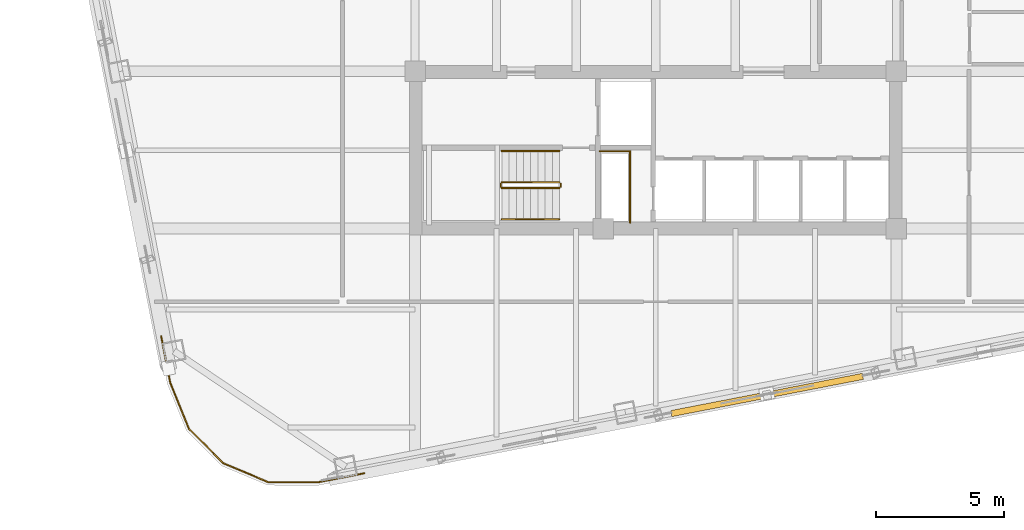
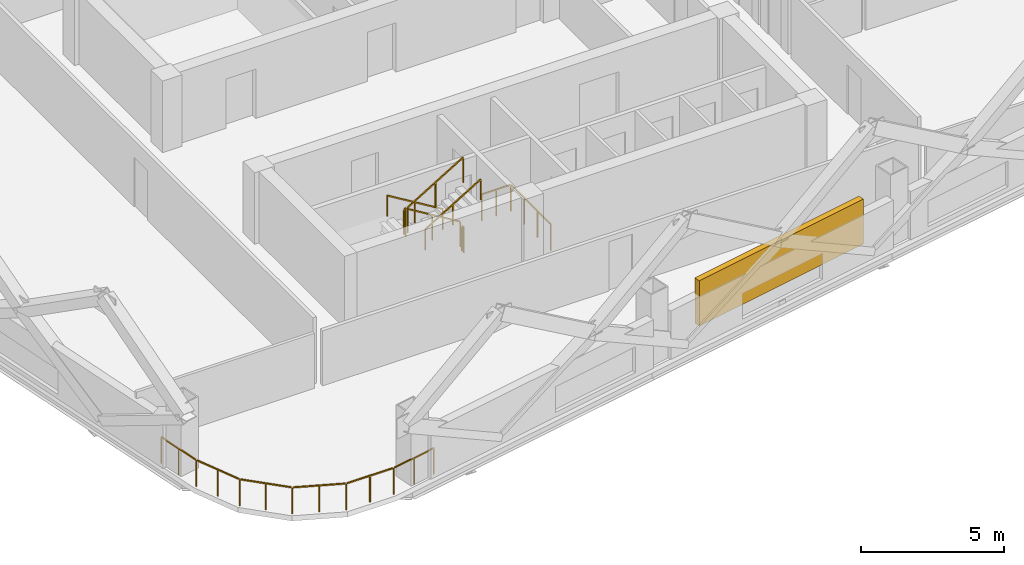
# One storey, part 8 of 10: 8 railings, 1 shading device.
"""IFC4 building model written with IfcOpenShell, lengths in metres."""

from ifc_helpers import new_model, si_unit, direction, frame, origin, origin_2d, place, context, subcontext, project, spatial, rectangle, extrude, material, type_object, element, save


model = new_model("IFC4")

# Units and contexts
model_context = context("Model", 3, precision=1e-05, world=origin(), true_north=direction((0.0, 1.0)))
body_context = subcontext(model_context, "Body", "Model", "MODEL_VIEW")
ifc_project = project(units=[si_unit("LENGTHUNIT", "METRE"), si_unit("AREAUNIT", "SQUARE_METRE"), si_unit("VOLUMEUNIT", "CUBIC_METRE"), si_unit("PLANEANGLEUNIT", "RADIAN"), si_unit("MASSUNIT", "GRAM", prefix="KILO")], contexts=[model_context])

# Site, building, storey
site_placement = place(None, origin())
site = spatial("IfcSite", under=ifc_project, at=site_placement, CompositionType="ELEMENT")
building_placement = place(site_placement, origin())
building = spatial("IfcBuilding", under=site, at=building_placement, Name="Qhalaya Broadcast Tower", CompositionType="ELEMENT")
storey_placement = place(building_placement, frame((0.0, 0.0, 118.89990234375)))
storey = spatial("IfcBuildingStorey", under=building, at=storey_placement, Name="L34", CompositionType="ELEMENT", Elevation=118.89990234375)

# Railings
ifc_material_1 = material(Name="Powder-Coated Galvanised Steel", Category="steel")
railing_type_1 = type_object("IfcRailingType", Name="Stair Wall Handrail 900", PredefinedType="HANDRAIL", material=ifc_material_1)
railing_1_placement = place(storey_placement, frame((-3.75, -5.72998046875, 0.16943359375)))
element("IfcRailing", 1, at=railing_1_placement, inside=storey, type_object=railing_type_1, Name="L34 ST-2 Stair Handrail 1", PredefinedType="HANDRAIL", context=body_context, shape_type="SweptSolid", body=[
    extrude(rectangle(XDim=0.048095703125, YDim=0.048095703125, at=origin_2d()), frame((0.0, 0.0, 0.8759765625), z_axis=(-0.855512035549, 0.0, 0.517782924622), x_axis=(0.0, -1.0, 0.0)), (0.0, 0.0, 1.0), 2.618408203125),
    extrude(rectangle(XDim=0.0419921875, YDim=0.0419921875, at=origin_2d()), origin(), (0.0, 0.0, 1.0), 0.849853515625),
    extrude(rectangle(XDim=0.0419921875, YDim=0.0419921875, at=origin_2d()), frame((-1.1201171875, 0.0, 0.677734375)), (0.0, 0.0, 1.0), 0.849853515625),
    extrude(rectangle(XDim=0.0419921875, YDim=0.0419921875, at=origin_2d()), frame((-2.239990234375, 0.0, 1.355712890625)), (0.0, 0.0, 1.0), 0.849853515625),
])
railing_2_placement = place(storey_placement, frame((-5.989990234375, -8.389892578125, 1.694580078125)))
element("IfcRailing", 2, at=railing_2_placement, inside=storey, type_object=railing_type_1, Name="L34 ST-2 Stair Handrail 2", PredefinedType="HANDRAIL", context=body_context, shape_type="SweptSolid", body=[
    extrude(rectangle(XDim=0.048095703125, YDim=0.048095703125, at=origin_2d()), frame((0.0, 0.0, 0.8759765625), z_axis=(0.855553338991, 0.0, 0.51771467445), x_axis=(0.0, 1.0, 0.0)), (0.0, 0.0, 1.0), 2.6181640625),
    extrude(rectangle(XDim=0.0419921875, YDim=0.0419921875, at=origin_2d()), origin(), (0.0, 0.0, 1.0), 0.849853515625),
    extrude(rectangle(XDim=0.0419921875, YDim=0.0419921875, at=origin_2d()), frame((1.1201171875, 0.0, 0.677734375)), (0.0, 0.0, 1.0), 0.849853515625),
    extrude(rectangle(XDim=0.0419921875, YDim=0.0419921875, at=origin_2d()), frame((2.239990234375, 0.0, 1.35546875)), (0.0, 0.0, 1.0), 0.849853515625),
])
railing_type_2 = type_object("IfcRailingType", Name="Stair Well & Landing Guardrail 1100", PredefinedType="GUARDRAIL", material=ifc_material_1)
railing_3_placement = place(storey_placement, frame((-1.0, -8.52001953125, 0.0)))
element("IfcRailing", 3, at=railing_3_placement, inside=storey, type_object=railing_type_2, Name="L34 Service Riser Opening Safety Guard SRSR", PredefinedType="GUARDRAIL", context=body_context, shape_type="SweptSolid", body=[
    extrude(rectangle(XDim=0.048095703125, YDim=0.048095703125, at=origin_2d()), frame((0.0, 0.0, 1.1259765625), z_axis=(0.0, 1.0, 0.0), x_axis=(-1.0, 0.0, 0.0)), (0.0, 0.0, 1.0), 2.751220703125),
    extrude(rectangle(XDim=0.048095703125, YDim=0.048095703125, at=origin_2d()), frame((-0.02880859375, 2.780029296875, 1.1259765625), z_axis=(-1.0, 0.0, 0.0), x_axis=(0.0, -1.0, 0.0)), (0.0, 0.0, 1.0), 1.151123046875),
    extrude(rectangle(XDim=0.0419921875, YDim=0.0419921875, at=origin_2d()), origin(), (0.0, 0.0, 1.0), 1.099853515625),
    extrude(rectangle(XDim=0.0419921875, YDim=0.0419921875, at=origin_2d()), frame((0.0, 0.9267578125, 0.0)), (0.0, 0.0, 1.0), 1.099853515625),
    extrude(rectangle(XDim=0.0419921875, YDim=0.0419921875, at=origin_2d()), frame((0.0, 1.853271484375, 0.0)), (0.0, 0.0, 1.0), 1.099853515625),
    extrude(rectangle(XDim=0.0419921875, YDim=0.0419921875, at=origin_2d()), frame((0.0, 2.780029296875, 0.0)), (0.0, 0.0, 1.0), 1.099853515625),
    extrude(rectangle(XDim=0.0419921875, YDim=0.0419921875, at=origin_2d()), frame((-0.58984375, 2.780029296875, 0.0)), (0.0, 0.0, 1.0), 1.099853515625),
    extrude(rectangle(XDim=0.0419921875, YDim=0.0419921875, at=origin_2d()), frame((-1.179931640625, 2.780029296875, 0.0)), (0.0, 0.0, 1.0), 1.099853515625),
])
railing_4_placement = place(storey_placement, frame((-3.75, -6.949951171875, 0.16943359375)))
element("IfcRailing", 4, at=railing_4_placement, inside=storey, type_object=railing_type_2, Name="L34 ST-2 Stair Guard 1", PredefinedType="GUARDRAIL", context=body_context, shape_type="SweptSolid", body=[
    extrude(rectangle(XDim=0.048095703125, YDim=0.048095703125, at=origin_2d()), frame((0.0, 0.0, 1.076171875), z_axis=(-0.855512035549, 0.0, 0.517782924622), x_axis=(0.0, -1.0, 0.0)), (0.0, 0.0, 1.0), 2.618408203125),
    extrude(rectangle(XDim=0.0419921875, YDim=0.0419921875, at=origin_2d()), origin(), (0.0, 0.0, 1.0), 1.050048828125),
    extrude(rectangle(XDim=0.0419921875, YDim=0.0419921875, at=origin_2d()), frame((-1.1201171875, 0.0, 0.677734375)), (0.0, 0.0, 1.0), 1.050048828125),
    extrude(rectangle(XDim=0.0419921875, YDim=0.0419921875, at=origin_2d()), frame((-2.239990234375, 0.0, 1.355712890625)), (0.0, 0.0, 1.0), 1.050048828125),
])
railing_5_placement = place(storey_placement, frame((-6.0400390625, -7.0, 1.525146484375)))
element("IfcRailing", 5, at=railing_5_placement, inside=storey, type_object=railing_type_2, Name="L34 ST-2 Stair Guard 2", PredefinedType="GUARDRAIL", context=body_context, shape_type="SweptSolid", body=[
    extrude(rectangle(XDim=0.048095703125, YDim=0.048095703125, at=origin_2d()), frame((0.0, 0.0, 1.076171875), z_axis=(0.0, -1.0, 0.0), x_axis=(1.0, 0.0, 0.0)), (0.0, 0.0, 1.0), 0.1201171875),
    extrude(rectangle(XDim=0.0419921875, YDim=0.0419921875, at=origin_2d()), origin(), (0.0, 0.0, 1.0), 1.050048828125),
    extrude(rectangle(XDim=0.0419921875, YDim=0.0419921875, at=origin_2d()), frame((0.0, -0.1201171875, 0.0)), (0.0, 0.0, 1.0), 1.050048828125),
])
railing_6_placement = place(storey_placement, frame((-5.989990234375, -7.169921875, 1.694580078125)))
element("IfcRailing", 6, at=railing_6_placement, inside=storey, type_object=railing_type_2, Name="L34 ST-2 Stair Guard 3", PredefinedType="GUARDRAIL", context=body_context, shape_type="SweptSolid", body=[
    extrude(rectangle(XDim=0.048095703125, YDim=0.048095703125, at=origin_2d()), frame((0.0, 0.0, 1.076171875), z_axis=(0.855553338991, 0.0, 0.51771467445), x_axis=(0.0, 1.0, 0.0)), (0.0, 0.0, 1.0), 2.6181640625),
    extrude(rectangle(XDim=0.0419921875, YDim=0.0419921875, at=origin_2d()), origin(), (0.0, 0.0, 1.0), 1.050048828125),
    extrude(rectangle(XDim=0.0419921875, YDim=0.0419921875, at=origin_2d()), frame((1.1201171875, 0.0, 0.677734375)), (0.0, 0.0, 1.0), 1.050048828125),
    extrude(rectangle(XDim=0.0419921875, YDim=0.0419921875, at=origin_2d()), frame((2.239990234375, 0.0, 1.35546875)), (0.0, 0.0, 1.0), 1.050048828125),
])
railing_7_placement = place(storey_placement, frame((-3.699951171875, -7.0, 0.0)))
element("IfcRailing", 7, at=railing_7_placement, inside=storey, type_object=railing_type_2, Name="L34 ST-2 Stair Guard 4", PredefinedType="GUARDRAIL", context=body_context, shape_type="SweptSolid", body=[
    extrude(rectangle(XDim=0.048095703125, YDim=0.048095703125, at=origin_2d()), frame((0.0, 0.0, 1.076171875), z_axis=(0.0, -1.0, 0.0), x_axis=(1.0, 0.0, 0.0)), (0.0, 0.0, 1.0), 0.1201171875),
    extrude(rectangle(XDim=0.0419921875, YDim=0.0419921875, at=origin_2d()), origin(), (0.0, 0.0, 1.0), 1.050048828125),
    extrude(rectangle(XDim=0.0419921875, YDim=0.0419921875, at=origin_2d()), frame((0.0, -0.1201171875, 0.0)), (0.0, 0.0, 1.0), 1.050048828125),
])
railing_type_3 = type_object("IfcRailingType", Name="Terrace, Sky-Pool & Lookout Glass Balustrade 1150", PredefinedType="BALUSTRADE", material=ifc_material_1)
railing_8_placement = place(storey_placement, frame((-11.351318359375, -18.281982421875, 0.0)))
element("IfcRailing", 8, at=railing_8_placement, inside=storey, type_object=railing_type_3, Name="L34 Rounded Corner Perimeter Guard 02", PredefinedType="BALUSTRADE", context=body_context, shape_type="SweptSolid", body=[
    extrude(rectangle(XDim=0.048095703125, YDim=0.048095703125, at=origin_2d()), frame((0.0, 0.0, 1.1259765625), z_axis=(-0.981643446311, -0.190725311155, 0.0), x_axis=(0.190725311155, -0.981643446311, 0.0)), (0.0, 0.0, 1.0), 1.8271484375),
    extrude(rectangle(XDim=0.048095703125, YDim=0.048095703125, at=origin_2d()), frame((-1.850830078125, -0.353759765625, 1.1259765625), z_axis=(-0.999990606087, 0.004334482484, 0.0), x_axis=(-0.004334482484, -0.999990606087, 0.0)), (0.0, 0.0, 1.0), 1.857421875),
    extrude(rectangle(XDim=0.048095703125, YDim=0.048095703125, at=origin_2d()), frame((-3.763671875, -0.33447265625, 1.1259765625), z_axis=(-0.922247496545, 0.386599993684, 0.0), x_axis=(-0.386599993684, -0.922247496545, 0.0)), (0.0, 0.0, 1.0), 1.845703125),
    extrude(rectangle(XDim=0.048095703125, YDim=0.048095703125, at=origin_2d()), frame((-5.5126953125, 0.41064453125, 1.1259765625), z_axis=(-0.704021268228, 0.710178888649, 0.0), x_axis=(-0.710178888649, -0.704021268228, 0.0)), (0.0, 0.0, 1.0), 1.845458984375),
    extrude(rectangle(XDim=0.048095703125, YDim=0.048095703125, at=origin_2d()), frame((-6.84326171875, 1.768310546875, 1.1259765625), z_axis=(-0.378588174109, 0.925565229698, 0.0), x_axis=(-0.925565229698, -0.378588174109, 0.0)), (0.0, 0.0, 1.0), 1.857666015625),
    extrude(rectangle(XDim=0.048095703125, YDim=0.048095703125, at=origin_2d()), frame((-7.56298828125, 3.542724609375, 1.1259765625), z_axis=(-0.190725311155, 0.981643446311, 0.0), x_axis=(-0.981643446311, -0.190725311155, 0.0)), (0.0, 0.0, 1.0), 1.8271484375),
    extrude(rectangle(XDim=0.0419921875, YDim=0.0419921875, at=origin_2d()), origin(), (0.0, 0.0, 1.0), 1.099853515625),
    extrude(rectangle(XDim=0.0419921875, YDim=0.0419921875, at=origin_2d()), frame((-0.9111328125, -0.177001953125, 0.0)), (0.0, 0.0, 1.0), 1.099853515625),
    extrude(rectangle(XDim=0.0419921875, YDim=0.0419921875, at=origin_2d()), frame((-1.822021484375, -0.35400390625, 0.0)), (0.0, 0.0, 1.0), 1.099853515625),
    extrude(rectangle(XDim=0.0419921875, YDim=0.0419921875, at=origin_2d()), frame((-2.779541015625, -0.349853515625, 0.0)), (0.0, 0.0, 1.0), 1.099853515625),
    extrude(rectangle(XDim=0.0419921875, YDim=0.0419921875, at=origin_2d()), frame((-3.737060546875, -0.345703125, 0.0)), (0.0, 0.0, 1.0), 1.099853515625),
    extrude(rectangle(XDim=0.0419921875, YDim=0.0419921875, at=origin_2d()), frame((-4.61474609375, 0.022216796875, 0.0)), (0.0, 0.0, 1.0), 1.099853515625),
    extrude(rectangle(XDim=0.0419921875, YDim=0.0419921875, at=origin_2d()), frame((-5.492431640625, 0.39013671875, 0.0)), (0.0, 0.0, 1.0), 1.099853515625),
    extrude(rectangle(XDim=0.0419921875, YDim=0.0419921875, at=origin_2d()), frame((-6.162353515625, 1.06591796875, 0.0)), (0.0, 0.0, 1.0), 1.099853515625),
    extrude(rectangle(XDim=0.0419921875, YDim=0.0419921875, at=origin_2d()), frame((-6.832275390625, 1.74169921875, 0.0)), (0.0, 0.0, 1.0), 1.099853515625),
    extrude(rectangle(XDim=0.0419921875, YDim=0.0419921875, at=origin_2d()), frame((-7.19482421875, 2.6279296875, 0.0)), (0.0, 0.0, 1.0), 1.099853515625),
    extrude(rectangle(XDim=0.0419921875, YDim=0.0419921875, at=origin_2d()), frame((-7.557373046875, 3.514404296875, 0.0)), (0.0, 0.0, 1.0), 1.099853515625),
    extrude(rectangle(XDim=0.0419921875, YDim=0.0419921875, at=origin_2d()), frame((-7.734375, 4.42529296875, 0.0)), (0.0, 0.0, 1.0), 1.099853515625),
    extrude(rectangle(XDim=0.0419921875, YDim=0.0419921875, at=origin_2d()), frame((-7.911376953125, 5.33642578125, 0.0)), (0.0, 0.0, 1.0), 1.099853515625),
])

# Shading device
ifc_material_2 = material(Name="Fired Architectural Terracotta", Category="masonry")
shading_device_type = type_object("IfcShadingDeviceType", Name="Terracotta Baguette Solar Screen Assembly TBS-01", PredefinedType="USERDEFINED", material=ifc_material_2)
shading_device_placement = place(storey_placement, frame((4.337158203125, -15.232421875, 0.79248046875), z_axis=(0.0, 0.0, 1.0), x_axis=(0.981627183448, 0.190808995377, 0.0)))
element("IfcShadingDevice", 9, at=shading_device_placement, inside=storey, type_object=shading_device_type, Name="L34 Fired Terracotta Baguette Screen S", ObjectType="BAGUETTE", PredefinedType="USERDEFINED", context=body_context, shape_type="SweptSolid", body=[
    extrude(rectangle(XDim=7.60009765625, YDim=0.239990234375, at=origin_2d()), origin(), (0.0, 0.0, 1.0), 1.924072265625),
])

save(model, "model.ifc")
